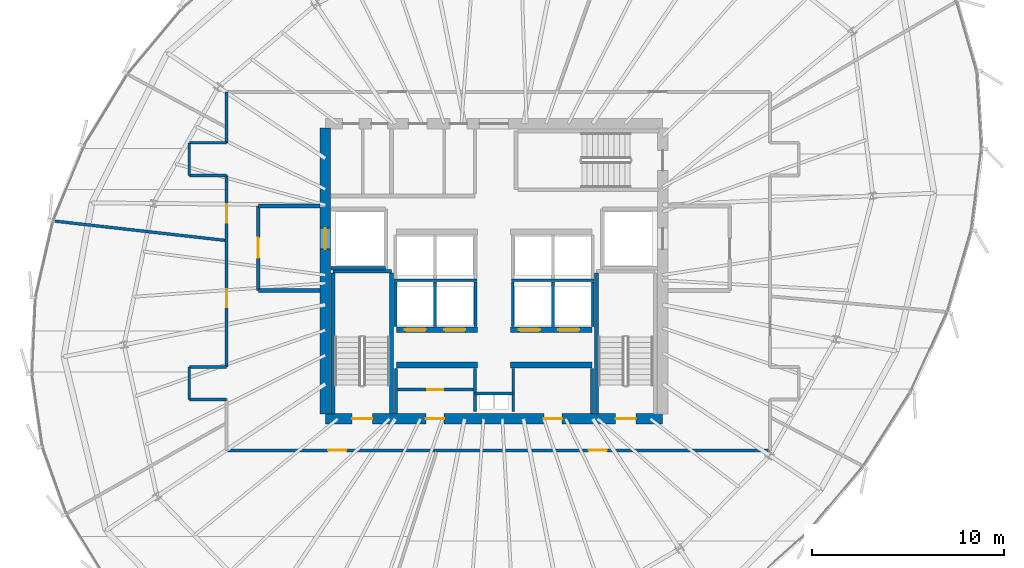
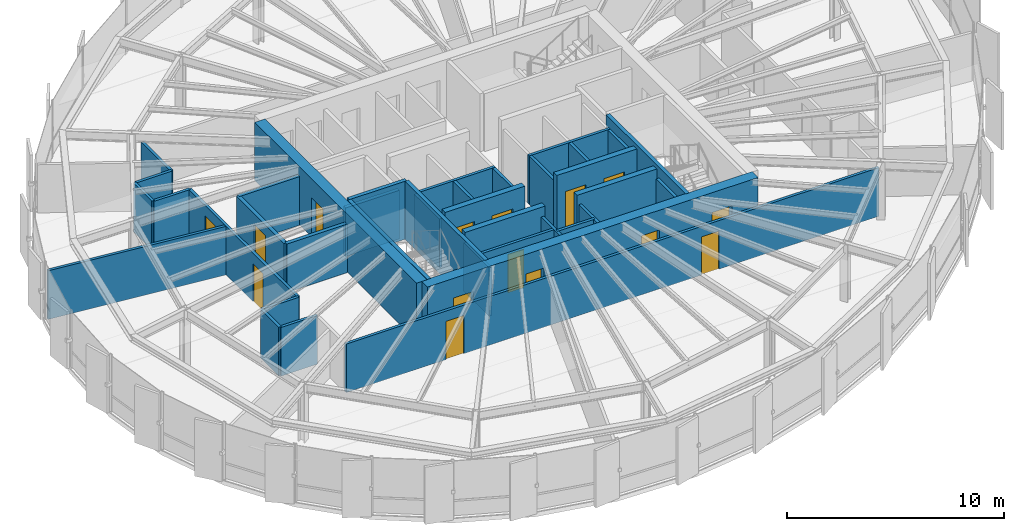
# One storey, part 29 of 34: 38 walls, 15 doors, 15 openings.
"""IFC4 building model written with IfcOpenShell, lengths in metres."""

from ifc_helpers import new_model, si_unit, direction, frame, frame_2d, origin, place, context, subcontext, project, spatial, rectangle, extrude, source, transform, mapped, material, layer, layer_set, type_object, element, fill, save


model = new_model("IFC4")

# Units and contexts
model_context = context("Model", 3, precision=1e-05, world=origin(), true_north=direction((0.0, 1.0)))
body_context = subcontext(model_context, "Body", "Model", "MODEL_VIEW")
ifc_project = project(units=[si_unit("LENGTHUNIT", "METRE"), si_unit("AREAUNIT", "SQUARE_METRE"), si_unit("VOLUMEUNIT", "CUBIC_METRE"), si_unit("PLANEANGLEUNIT", "RADIAN"), si_unit("MASSUNIT", "GRAM", prefix="KILO"), si_unit("THERMODYNAMICTEMPERATUREUNIT", "KELVIN")], contexts=[model_context])

# Site, building, storey
site_placement = place(None, origin())
site = spatial("IfcSite", under=ifc_project, at=site_placement, CompositionType="ELEMENT")
building_placement = place(site_placement, origin())
building = spatial("IfcBuilding", under=site, at=building_placement, Name="Kethvar Cultural Tower", CompositionType="ELEMENT")
storey_placement = place(building_placement, frame((0.0, 0.0, 186.89990234375)))
storey = spatial("IfcBuildingStorey", under=building, at=storey_placement, Name="L48", CompositionType="ELEMENT", Elevation=186.89990234375)

# Wall, openings, doors
ifc_material_1 = material(Name="Concrete C60/75", Category="concrete")
ifc_layer_1 = layer(ifc_material_1, 0.550048828125, Name="Concrete C60/75", Category="concrete")
ifc_layer_set_1 = layer_set([ifc_layer_1], Name="Concrete C60/75 (550 mm)")
wall_type_1 = type_object("IfcWallType", Name="WL-CORE-550", PredefinedType="SHEAR", material=ifc_layer_set_1)
wall_1_placement = place(storey_placement, frame((38.0, 20.10009765625, 0.0), z_axis=(0.0, 0.0, 1.0), x_axis=(1.0, 0.0, 0.0)))
wall_1 = element("IfcWall", 1, at=wall_1_placement, inside=storey, type_object=wall_type_1, Name="L48 Core Shear Wall S", PredefinedType="SHEAR", context=body_context, shape_type="SweptSolid", body=[
    extrude(rectangle(XDim=17.60009765625, YDim=0.550048828125, at=frame_2d((8.800048828125, 0.0))), origin(), (0.0, 0.0, 1.0), 3.260009765625),
])
opening_1_placement = place(wall_1_placement, frame((1.39990234375, 0.0, 0.0)))
opening_1 = element("IfcOpeningElement", 2, at=opening_1_placement, cuts=wall_1, Name="Opening D-L48-S1", PredefinedType="OPENING", context=body_context, shape_type="SweptSolid", body=[
    extrude(rectangle(XDim=1.050048828125, YDim=2.14990234375, at=frame_2d((0.52490234375, 1.074951171875))), frame((0.0, 0.284912109375, 0.0), z_axis=(0.0, -1.0, 0.0), x_axis=(1.0, 0.0, 0.0)), (0.0, 0.0, 1.0), 0.570068359375),
])
opening_2_placement = place(wall_1_placement, frame((15.14990234375, 0.0, 0.0)))
opening_2 = element("IfcOpeningElement", 3, at=opening_2_placement, cuts=wall_1, Name="Opening D-L48-ST2", PredefinedType="OPENING", context=body_context, shape_type="SweptSolid", body=[
    extrude(rectangle(XDim=1.050048828125, YDim=2.14990234375, at=frame_2d((0.52490234375, 1.074951171875))), frame((0.0, 0.284912109375, 0.0), z_axis=(0.0, -1.0, 0.0), x_axis=(1.0, 0.0, 0.0)), (0.0, 0.0, 1.0), 0.570068359375),
])
opening_3_placement = place(wall_1_placement, frame((5.25, 0.0, 0.0)))
opening_3 = element("IfcOpeningElement", 4, at=opening_3_placement, cuts=wall_1, Name="Opening D-L48-V1", PredefinedType="OPENING", context=body_context, shape_type="SweptSolid", body=[
    extrude(rectangle(XDim=0.949951171875, YDim=2.14990234375, at=frame_2d((0.47509765625, 1.074951171875))), frame((0.0, 0.284912109375, 0.0), z_axis=(0.0, -1.0, 0.0), x_axis=(1.0, 0.0, 0.0)), (0.0, 0.0, 1.0), 0.570068359375),
])
opening_4_placement = place(wall_1_placement, frame((11.39990234375, 0.0, 0.0)))
opening_4 = element("IfcOpeningElement", 5, at=opening_4_placement, cuts=wall_1, Name="Opening D-L48-V2", PredefinedType="OPENING", context=body_context, shape_type="SweptSolid", body=[
    extrude(rectangle(XDim=0.949951171875, YDim=2.14990234375, at=frame_2d((0.47509765625, 1.074951171875))), frame((0.0, 0.284912109375, 0.0), z_axis=(0.0, -1.0, 0.0), x_axis=(1.0, 0.0, 0.0)), (0.0, 0.0, 1.0), 0.570068359375),
])
ifc_material_2 = material(Name="Steel S355J2", Category="steel")
door_type_1 = type_object("IfcDoorType", Name="DR-FD60-1050", OperationType="NOTDEFINED", PredefinedType="DOOR", material=ifc_material_2)
shared_shape_1 = source(origin(), body_context, "Body", "SweptSolid", [
    extrude(rectangle(XDim=1.050048828125, YDim=2.14990234375, at=frame_2d((0.52490234375, 1.074951171875))), frame((0.0, 0.02490234375, 0.0), z_axis=(0.0, -1.0, 0.0), x_axis=(1.0, 0.0, 0.0)), (0.0, 0.0, 1.0), 0.050048828125),
])
door_1_placement = place(opening_1_placement, origin())
door_1 = element("IfcDoor", 6, at=door_1_placement, inside=storey, type_object=door_type_1, Name="L48 Exit Stair 1 Door", OperationType="SINGLE_SWING_LEFT", OverallHeight=2.14990234375, OverallWidth=1.050048828125, PredefinedType="DOOR", context=body_context, shape_type="MappedRepresentation", body=[
    mapped(shared_shape_1, transform((0.0, 0.0, 0.0), scale=1.0)),
])
fill(opening_1, door_1)
door_2_placement = place(opening_2_placement, origin())
door_2 = element("IfcDoor", 7, at=door_2_placement, inside=storey, type_object=door_type_1, Name="L48 Exit Stair 2 Door", OperationType="SINGLE_SWING_RIGHT", OverallHeight=2.14990234375, OverallWidth=1.050048828125, PredefinedType="DOOR", context=body_context, shape_type="MappedRepresentation", body=[
    mapped(shared_shape_1, transform((0.0, 0.0, 0.0), scale=1.0)),
])
fill(opening_2, door_2)
ifc_material_3 = material(Name="Architectural Oak Timber", Category="wood")
door_type_2 = type_object("IfcDoorType", Name="DR-FD30-950", OperationType="NOTDEFINED", PredefinedType="DOOR", material=ifc_material_3)
shared_shape_2 = source(origin(), body_context, "Body", "SweptSolid", [
    extrude(rectangle(XDim=0.949951171875, YDim=2.14990234375, at=frame_2d((0.47509765625, 1.074951171875))), frame((0.0, 0.02490234375, 0.0), z_axis=(0.0, -1.0, 0.0), x_axis=(1.0, 0.0, 0.0)), (0.0, 0.0, 1.0), 0.050048828125),
])
door_3_placement = place(opening_3_placement, origin())
door_3 = element("IfcDoor", 8, at=door_3_placement, inside=storey, type_object=door_type_2, Name="L48 Reclaimed West South Door", OperationType="SINGLE_SWING_LEFT", OverallHeight=2.14990234375, OverallWidth=0.949951171875, PredefinedType="DOOR", context=body_context, shape_type="MappedRepresentation", body=[
    mapped(shared_shape_2, transform((0.0, 0.0, 0.0), scale=1.0)),
])
fill(opening_3, door_3)
door_4_placement = place(opening_4_placement, origin())
door_4 = element("IfcDoor", 9, at=door_4_placement, inside=storey, type_object=door_type_2, Name="L48 Reclaimed East Server Door", OperationType="SINGLE_SWING_RIGHT", OverallHeight=2.14990234375, OverallWidth=0.949951171875, PredefinedType="DOOR", context=body_context, shape_type="MappedRepresentation", body=[
    mapped(shared_shape_2, transform((0.0, 0.0, 0.0), scale=1.0)),
])
fill(opening_4, door_4)

# Wall, opening, door
wall_2_placement = place(storey_placement, frame((38.0, 35.260009765625, 0.0), z_axis=(0.0, 0.0, 1.0), x_axis=(0.0, -1.0, 0.0)))
wall_2 = element("IfcWall", 10, at=wall_2_placement, inside=storey, type_object=wall_type_1, Name="L48 Core Shear Wall W", PredefinedType="SHEAR", context=body_context, shape_type="SweptSolid", body=[
    extrude(rectangle(XDim=14.919921875, YDim=0.550048828125, at=frame_2d((7.4599609375, 0.0))), origin(), (0.0, 0.0, 1.0), 3.260009765625),
])
opening_5_placement = place(wall_2_placement, frame((5.2099609375, 0.0, 0.0)))
opening_5 = element("IfcOpeningElement", 11, at=opening_5_placement, cuts=wall_2, Name="Opening LD-1", PredefinedType="OPENING", context=body_context, shape_type="SweptSolid", body=[
    extrude(rectangle(XDim=1.10009765625, YDim=2.199951171875, at=frame_2d((0.550048828125, 1.10009765625))), frame((0.0, 0.284912109375, 0.0), z_axis=(0.0, -1.0, 0.0), x_axis=(1.0, 0.0, 0.0)), (0.0, 0.0, 1.0), 0.570068359375),
])
door_type_3 = type_object("IfcDoorType", Name="DR-LIFT-SLIDE-1100", OperationType="NOTDEFINED", PredefinedType="DOOR", material=ifc_material_2)
shared_shape_3 = source(origin(), body_context, "Body", "SweptSolid", [
    extrude(rectangle(XDim=1.10009765625, YDim=2.199951171875, at=frame_2d((0.550048828125, 1.10009765625))), frame((0.0, 0.02490234375, 0.0), z_axis=(0.0, -1.0, 0.0), x_axis=(1.0, 0.0, 0.0)), (0.0, 0.0, 1.0), 0.050048828125),
])
door_5_placement = place(opening_5_placement, origin())
door_5 = element("IfcDoor", 12, at=door_5_placement, inside=storey, type_object=door_type_3, Name="L48 Firefighting Lift Landing Door FFL-01", OperationType="SLIDING_TO_LEFT", OverallHeight=2.199951171875, OverallWidth=1.10009765625, PredefinedType="DOOR", context=body_context, shape_type="MappedRepresentation", body=[
    mapped(shared_shape_3, transform((0.0, 0.0, 0.0), scale=1.0)),
])
fill(opening_5, door_5)

# Walls
ifc_material_4 = material(Name="Gypsum Fireboard Partition")
ifc_layer_2 = layer(ifc_material_4, 0.14990234375, Name="Gypsum Fireboard Partition")
ifc_layer_set_2 = layer_set([ifc_layer_2], Name="Gypsum Fireboard Partition (150 mm)")
wall_type_2 = type_object("IfcWallType", Name="WL-FIRE-150", PredefinedType="PARTITIONING", material=ifc_layer_set_2)
wall_3_placement = place(storey_placement, frame((45.800048828125, 21.419921875, 0.0), z_axis=(0.0, 0.0, 1.0), x_axis=(1.0, 0.0, 0.0)))
element("IfcWall", 13, at=wall_3_placement, inside=storey, type_object=wall_type_2, Name="L48 Core Riser Wall", PredefinedType="PARTITIONING", context=body_context, shape_type="SweptSolid", body=[
    extrude(rectangle(XDim=2.0, YDim=0.14990234375, at=frame_2d((1.0, 0.0))), origin(), (0.0, 0.0, 1.0), 2.735107421875),
])
for number, where, z_axis, x_axis, name in (
    (14, (45.800048828125, 20.47998046875, 0.0), (0.0, 0.0, 1.0), (0.0, 1.0, 0.0), "L48 Core Riser West Wall"),
    (15, (47.800048828125, 20.47998046875, 0.0), (0.0, 0.0, 1.0), (0.0, 1.0, 0.0), "L48 Core Riser East Wall"),
):
    element("IfcWall", number, at=place(storey_placement, frame(where, z_axis=z_axis, x_axis=x_axis)), inside=storey, type_object=wall_type_2, Name=name, PredefinedType="PARTITIONING", context=body_context, shape_type="SweptSolid", body=[
        extrude(rectangle(XDim=2.239990234375, YDim=0.14990234375, at=frame_2d((1.1201171875, 0.0))), origin(), (0.0, 0.0, 1.0), 2.735107421875),
    ])
for number, where, z_axis, x_axis, name in (
    (16, (41.679931640625, 20.385009765625, 0.0), (0.0, 0.0, 1.0), (0.0, 1.0, 0.0), "L48 Reclaimed West Outer Wall"),
    (17, (51.919921875, 20.385009765625, 0.0), (0.0, 0.0, 1.0), (0.0, 1.0, 0.0), "L48 Reclaimed East Outer Wall"),
):
    element("IfcWall", number, at=place(storey_placement, frame(where, z_axis=z_axis, x_axis=x_axis)), inside=storey, type_object=wall_type_2, Name=name, PredefinedType="PARTITIONING", context=body_context, shape_type="SweptSolid", body=[
        extrude(rectangle(XDim=2.344970703125, YDim=0.14990234375, at=frame_2d((1.17236328125, 0.0))), origin(), (0.0, 0.0, 1.0), 2.735107421875),
    ])

# Wall, opening, door
wall_4_placement = place(storey_placement, frame((41.760009765625, 21.6201171875, 0.0), z_axis=(0.0, 0.0, 1.0), x_axis=(1.0, 0.0, 0.0)))
wall_4 = element("IfcWall", 18, at=wall_4_placement, inside=storey, type_object=wall_type_2, Name="L48 Vault Gallery Wall W", PredefinedType="PARTITIONING", context=body_context, shape_type="SweptSolid", body=[
    extrude(rectangle(XDim=3.9599609375, YDim=0.14990234375, at=frame_2d((1.97998046875, 0.0))), origin(), (0.0, 0.0, 1.0), 2.735107421875),
])
opening_6_placement = place(wall_4_placement, frame((1.550048828125, 0.0, 0.0)))
opening_6 = element("IfcOpeningElement", 19, at=opening_6_placement, cuts=wall_4, Name="Opening D-L48-V3", PredefinedType="OPENING", context=body_context, shape_type="SweptSolid", body=[
    extrude(rectangle(XDim=0.85009765625, YDim=2.14990234375, at=frame_2d((0.425048828125, 1.074951171875))), frame((0.0, 0.0849609375, 0.0), z_axis=(0.0, -1.0, 0.0), x_axis=(1.0, 0.0, 0.0)), (0.0, 0.0, 1.0), 0.169921875),
])
door_type_4 = type_object("IfcDoorType", Name="DR-FD30-850", OperationType="NOTDEFINED", PredefinedType="DOOR", material=ifc_material_2)
shared_shape_4 = source(origin(), body_context, "Body", "SweptSolid", [
    extrude(rectangle(XDim=0.85009765625, YDim=2.14990234375, at=frame_2d((0.425048828125, 1.074951171875))), frame((0.0, 0.02490234375, 0.0), z_axis=(0.0, -1.0, 0.0), x_axis=(1.0, 0.0, 0.0)), (0.0, 0.0, 1.0), 0.050048828125),
])
door_6_placement = place(opening_6_placement, origin())
door_6 = element("IfcDoor", 20, at=door_6_placement, inside=storey, type_object=door_type_4, Name="L48 Inner Vault Gallery Door", OperationType="SINGLE_SWING_LEFT", OverallHeight=2.14990234375, OverallWidth=0.85009765625, PredefinedType="DOOR", context=body_context, shape_type="MappedRepresentation", body=[
    mapped(shared_shape_4, transform((0.0, 0.0, 0.0), scale=1.0)),
])
fill(opening_6, door_6)

# Walls
wall_5_placement = place(storey_placement, frame((41.580078125, 27.324951171875, 0.0), z_axis=(0.0, 0.0, 1.0), x_axis=(1.0, 0.0, 0.0)))
element("IfcWall", 21, at=wall_5_placement, inside=storey, type_object=wall_type_2, Name="L48 Mid-High Lift Shaft Back Wall W", PredefinedType="PARTITIONING", context=body_context, shape_type="SweptSolid", body=[
    extrude(rectangle(XDim=4.31982421875, YDim=0.14990234375, at=frame_2d((2.159912109375, 0.0))), origin(), (0.0, 0.0, 1.0), 2.735107421875),
])
wall_6_placement = place(storey_placement, frame((47.699951171875, 27.324951171875, 0.0), z_axis=(0.0, 0.0, 1.0), x_axis=(1.0, 0.0, 0.0)))
element("IfcWall", 22, at=wall_6_placement, inside=storey, type_object=wall_type_2, Name="L48 Mid-High Lift Shaft Back Wall E", PredefinedType="PARTITIONING", context=body_context, shape_type="SweptSolid", body=[
    extrude(rectangle(XDim=4.320068359375, YDim=0.14990234375, at=frame_2d((2.16015625, 0.0))), origin(), (0.0, 0.0, 1.0), 2.735107421875),
])
for number, where, z_axis, x_axis, name in (
    (23, (41.64990234375, 24.919921875, 0.0), (0.0, 0.0, 1.0), (0.0, 1.0, 0.0), "L48 Mid-Rise Lift Shaft Outer Wall W"),
    (24, (43.72509765625, 24.919921875, 0.0), (0.0, 0.0, 1.0), (0.0, 1.0, 0.0), "L48 Mid-Rise Lift Shaft Divider W"),
    (25, (45.824951171875, 24.919921875, 0.0), (0.0, 0.0, 1.0), (0.0, 1.0, 0.0), "L48 Mid-Rise Lift Shaft Concourse Wall W"),
    (26, (47.77490234375, 24.919921875, 0.0), (0.0, 0.0, 1.0), (0.0, 1.0, 0.0), "L48 Mid-Rise Lift Shaft Concourse Wall E"),
    (27, (49.875, 24.919921875, 0.0), (0.0, 0.0, 1.0), (0.0, 1.0, 0.0), "L48 Mid-Rise Lift Shaft Divider E"),
    (28, (51.949951171875, 24.919921875, 0.0), (0.0, 0.0, 1.0), (0.0, 1.0, 0.0), "L48 Mid-Rise Lift Shaft Outer Wall E"),
):
    element("IfcWall", number, at=place(storey_placement, frame(where, z_axis=z_axis, x_axis=x_axis)), inside=storey, type_object=wall_type_2, Name=name, PredefinedType="PARTITIONING", context=body_context, shape_type="SweptSolid", body=[
        extrude(rectangle(XDim=2.320068359375, YDim=0.14990234375, at=frame_2d((1.16015625, 0.0))), origin(), (0.0, 0.0, 1.0), 2.735107421875),
    ])

# Wall, openings, doors
wall_7_placement = place(storey_placement, frame((32.85009765625, 18.449951171875, 0.0), z_axis=(0.0, 0.0, 1.0), x_axis=(1.0, 0.0, 0.0)))
wall_7 = element("IfcWall", 29, at=wall_7_placement, inside=storey, type_object=wall_type_2, Name="L48 Corridor Rated Wall S", PredefinedType="PARTITIONING", context=body_context, shape_type="SweptSolid", body=[
    extrude(rectangle(XDim=28.349853515625, YDim=0.14990234375, at=frame_2d((14.1748046875, 0.0))), origin(), (0.0, 0.0, 1.0), 2.735107421875),
])
opening_7_placement = place(wall_7_placement, frame((5.300048828125, 0.0, 0.0)))
opening_7 = element("IfcOpeningElement", 30, at=opening_7_placement, cuts=wall_7, Name="Opening D-L48-01", PredefinedType="OPENING", context=body_context, shape_type="SweptSolid", body=[
    extrude(rectangle(XDim=0.949951171875, YDim=2.14990234375, at=frame_2d((0.47509765625, 1.074951171875))), frame((0.0, 0.0849609375, 0.0), z_axis=(0.0, -1.0, 0.0), x_axis=(1.0, 0.0, 0.0)), (0.0, 0.0, 1.0), 0.169921875),
])
opening_8_placement = place(wall_7_placement, frame((18.88818359375, 0.0, 0.0)))
opening_8 = element("IfcOpeningElement", 31, at=opening_8_placement, cuts=wall_7, Name="Opening D-L48-02", PredefinedType="OPENING", context=body_context, shape_type="SweptSolid", body=[
    extrude(rectangle(XDim=0.949951171875, YDim=2.14990234375, at=frame_2d((0.47509765625, 1.074951171875))), frame((0.0, 0.0849609375, 0.0), z_axis=(0.0, -1.0, 0.0), x_axis=(1.0, 0.0, 0.0)), (0.0, 0.0, 1.0), 0.169921875),
])
door_7_placement = place(opening_7_placement, origin())
door_7 = element("IfcDoor", 32, at=door_7_placement, inside=storey, type_object=door_type_2, Name="L48 Contemporary Art Salon 01 Door", OperationType="SINGLE_SWING_LEFT", OverallHeight=2.14990234375, OverallWidth=0.949951171875, PredefinedType="DOOR", context=body_context, shape_type="MappedRepresentation", body=[
    mapped(shared_shape_2, transform((0.0, 0.0, 0.0), scale=1.0)),
])
fill(opening_7, door_7)
door_8_placement = place(opening_8_placement, origin())
door_8 = element("IfcDoor", 33, at=door_8_placement, inside=storey, type_object=door_type_2, Name="L48 Main Public Reading Library 02 Door", OperationType="SINGLE_SWING_RIGHT", OverallHeight=2.14990234375, OverallWidth=0.949951171875, PredefinedType="DOOR", context=body_context, shape_type="MappedRepresentation", body=[
    mapped(shared_shape_2, transform((0.0, 0.0, 0.0), scale=1.0)),
])
fill(opening_8, door_8)

# Walls
wall_8_placement = place(storey_placement, frame((32.85009765625, 37.14990234375, 0.0), z_axis=(0.0, 0.0, 1.0), x_axis=(0.0, -1.0, 0.0)))
element("IfcWall", 34, at=wall_8_placement, inside=storey, type_object=wall_type_2, Name="L48 Corridor Rated Wall W2", PredefinedType="PARTITIONING", context=body_context, shape_type="SweptSolid", body=[
    extrude(rectangle(XDim=2.64990234375, YDim=0.14990234375, at=frame_2d((1.324951171875, 0.0))), origin(), (0.0, 0.0, 1.0), 2.735107421875),
])
wall_9_placement = place(storey_placement, frame((32.85009765625, 34.5, 0.0), z_axis=(0.0, 0.0, 1.0), x_axis=(-1.0, 0.0, 0.0)))
element("IfcWall", 35, at=wall_9_placement, inside=storey, type_object=wall_type_2, Name="L48 Corridor Rated Wall WNT", PredefinedType="PARTITIONING", context=body_context, shape_type="SweptSolid", body=[
    extrude(rectangle(XDim=1.9501953125, YDim=0.14990234375, at=frame_2d((0.97509765625, 0.0))), origin(), (0.0, 0.0, 1.0), 2.735107421875),
])
wall_10_placement = place(storey_placement, frame((30.89990234375, 34.5, 0.0), z_axis=(0.0, 0.0, 1.0), x_axis=(0.0, -1.0, 0.0)))
element("IfcWall", 36, at=wall_10_placement, inside=storey, type_object=wall_type_2, Name="L48 Corridor Rated Wall WN", PredefinedType="PARTITIONING", context=body_context, shape_type="SweptSolid", body=[
    extrude(rectangle(XDim=1.699951171875, YDim=0.14990234375, at=frame_2d((0.85009765625, 0.0))), origin(), (0.0, 0.0, 1.0), 2.735107421875),
])
wall_11_placement = place(storey_placement, frame((30.89990234375, 32.800048828125, 0.0), z_axis=(0.0, 0.0, 1.0), x_axis=(1.0, 0.0, 0.0)))
element("IfcWall", 37, at=wall_11_placement, inside=storey, type_object=wall_type_2, Name="L48 Corridor Rated Wall WNB", PredefinedType="PARTITIONING", context=body_context, shape_type="SweptSolid", body=[
    extrude(rectangle(XDim=1.9501953125, YDim=0.14990234375, at=frame_2d((0.97509765625, 0.0))), origin(), (0.0, 0.0, 1.0), 2.735107421875),
])

# Wall, openings, doors
wall_12_placement = place(storey_placement, frame((32.85009765625, 32.800048828125, 0.0), z_axis=(0.0, 0.0, 1.0), x_axis=(0.0, -1.0, 0.0)))
wall_12 = element("IfcWall", 38, at=wall_12_placement, inside=storey, type_object=wall_type_2, Name="L48 Corridor Rated Wall WM", PredefinedType="PARTITIONING", context=body_context, shape_type="SweptSolid", body=[
    extrude(rectangle(XDim=10.0, YDim=0.14990234375, at=frame_2d((5.0, 0.0))), origin(), (0.0, 0.0, 1.0), 2.735107421875),
])
opening_9_placement = place(wall_12_placement, frame((1.51611328125, 0.0, 0.0)))
opening_9 = element("IfcOpeningElement", 39, at=opening_9_placement, cuts=wall_12, Name="Opening D-L48-07", PredefinedType="OPENING", context=body_context, shape_type="SweptSolid", body=[
    extrude(rectangle(XDim=0.949951171875, YDim=2.14990234375, at=frame_2d((0.47509765625, 1.074951171875))), frame((0.0, 0.0849609375, 0.0), z_axis=(0.0, -1.0, 0.0), x_axis=(1.0, 0.0, 0.0)), (0.0, 0.0, 1.0), 0.169921875),
])
opening_10_placement = place(wall_12_placement, frame((5.935302734375, 0.0, 0.0)))
opening_10 = element("IfcOpeningElement", 40, at=opening_10_placement, cuts=wall_12, Name="Opening D-L48-08", PredefinedType="OPENING", context=body_context, shape_type="SweptSolid", body=[
    extrude(rectangle(XDim=0.949951171875, YDim=2.14990234375, at=frame_2d((0.47509765625, 1.074951171875))), frame((0.0, 0.0849609375, 0.0), z_axis=(0.0, -1.0, 0.0), x_axis=(1.0, 0.0, 0.0)), (0.0, 0.0, 1.0), 0.169921875),
])
door_9_placement = place(opening_9_placement, origin())
door_9 = element("IfcDoor", 41, at=door_9_placement, inside=storey, type_object=door_type_2, Name="L48 Institute Tea Pantry 07 Door", OperationType="SINGLE_SWING_LEFT", OverallHeight=2.14990234375, OverallWidth=0.949951171875, PredefinedType="DOOR", context=body_context, shape_type="MappedRepresentation", body=[
    mapped(shared_shape_2, transform((0.0, 0.0, 0.0), scale=1.0)),
])
fill(opening_9, door_9)
door_10_placement = place(opening_10_placement, origin())
door_10 = element("IfcDoor", 42, at=door_10_placement, inside=storey, type_object=door_type_2, Name="L48 Manuscript Archive Store 08 Door", OperationType="SINGLE_SWING_RIGHT", OverallHeight=2.14990234375, OverallWidth=0.949951171875, PredefinedType="DOOR", context=body_context, shape_type="MappedRepresentation", body=[
    mapped(shared_shape_2, transform((0.0, 0.0, 0.0), scale=1.0)),
])
fill(opening_10, door_10)

# Walls
wall_13_placement = place(storey_placement, frame((32.85009765625, 22.800048828125, 0.0), z_axis=(0.0, 0.0, 1.0), x_axis=(-1.0, 0.0, 0.0)))
element("IfcWall", 43, at=wall_13_placement, inside=storey, type_object=wall_type_2, Name="L48 Corridor Rated Wall WST", PredefinedType="PARTITIONING", context=body_context, shape_type="SweptSolid", body=[
    extrude(rectangle(XDim=1.9501953125, YDim=0.14990234375, at=frame_2d((0.97509765625, 0.0))), origin(), (0.0, 0.0, 1.0), 2.735107421875),
])
wall_14_placement = place(storey_placement, frame((30.89990234375, 22.800048828125, 0.0), z_axis=(0.0, 0.0, 1.0), x_axis=(0.0, -1.0, 0.0)))
element("IfcWall", 44, at=wall_14_placement, inside=storey, type_object=wall_type_2, Name="L48 Corridor Rated Wall WS", PredefinedType="PARTITIONING", context=body_context, shape_type="SweptSolid", body=[
    extrude(rectangle(XDim=1.699951171875, YDim=0.14990234375, at=frame_2d((0.85009765625, 0.0))), origin(), (0.0, 0.0, 1.0), 2.735107421875),
])
wall_15_placement = place(storey_placement, frame((30.89990234375, 21.10009765625, 0.0), z_axis=(0.0, 0.0, 1.0), x_axis=(1.0, 0.0, 0.0)))
element("IfcWall", 45, at=wall_15_placement, inside=storey, type_object=wall_type_2, Name="L48 Corridor Rated Wall WSB", PredefinedType="PARTITIONING", context=body_context, shape_type="SweptSolid", body=[
    extrude(rectangle(XDim=1.9501953125, YDim=0.14990234375, at=frame_2d((0.97509765625, 0.0))), origin(), (0.0, 0.0, 1.0), 2.735107421875),
])
ifc_material_5 = material(Name="Concrete C40/50", Category="concrete")
ifc_layer_3 = layer(ifc_material_5, 0.199951171875, Name="Concrete C40/50", Category="concrete")
ifc_layer_set_3 = layer_set([ifc_layer_3], Name="Concrete C40/50 (200 mm)")
wall_type_3 = type_object("IfcWallType", Name="WL-FIRE-200", PredefinedType="PARTITIONING", material=ifc_layer_set_3)
wall_16_placement = place(storey_placement, frame((38.284912109375, 27.949951171875, 0.0), z_axis=(0.0, 0.0, 1.0), x_axis=(1.0, 0.0, 0.0)))
element("IfcWall", 46, at=wall_16_placement, inside=storey, type_object=wall_type_3, Name="L48 FFL-01 Shaft South Wall", PredefinedType="PARTITIONING", context=body_context, shape_type="SweptSolid", body=[
    extrude(rectangle(XDim=2.864990234375, YDim=0.199951171875, at=frame_2d((1.4326171875, 0.0))), origin(), (0.0, 0.0, 1.0), 2.735107421875),
])

# Wall, opening, door
wall_17_placement = place(storey_placement, frame((34.5, 31.199951171875, 0.0), z_axis=(0.0, 0.0, 1.0), x_axis=(0.0, -1.0, 0.0)))
wall_17 = element("IfcWall", 47, at=wall_17_placement, inside=storey, type_object=wall_type_3, Name="L48 Firefighting Lobby 1 Wall", PredefinedType="PARTITIONING", context=body_context, shape_type="SweptSolid", body=[
    extrude(rectangle(XDim=4.39990234375, YDim=0.199951171875, at=frame_2d((2.199951171875, 0.0))), origin(), (0.0, 0.0, 1.0), 2.735107421875),
])
opening_11_placement = place(wall_17_placement, frame((1.64990234375, 0.0, 0.0)))
opening_11 = element("IfcOpeningElement", 48, at=opening_11_placement, cuts=wall_17, Name="Opening D-L48-F1", PredefinedType="OPENING", context=body_context, shape_type="SweptSolid", body=[
    extrude(rectangle(XDim=1.050048828125, YDim=2.14990234375, at=frame_2d((0.52490234375, 1.074951171875))), frame((0.0, 0.10986328125, 0.0), z_axis=(0.0, -1.0, 0.0), x_axis=(1.0, 0.0, 0.0)), (0.0, 0.0, 1.0), 0.219970703125),
])
door_11_placement = place(opening_11_placement, origin())
door_11 = element("IfcDoor", 49, at=door_11_placement, inside=storey, type_object=door_type_1, Name="L48 Firefighting Lobby 1 Fire Door", OperationType="SINGLE_SWING_LEFT", OverallHeight=2.14990234375, OverallWidth=1.050048828125, PredefinedType="DOOR", context=body_context, shape_type="MappedRepresentation", body=[
    mapped(shared_shape_1, transform((0.0, 0.0, 0.0), scale=1.0)),
])
fill(opening_11, door_11)

# Walls
for number, where, z_axis, x_axis, name in (
    (50, (34.5, 26.800048828125, 0.0), (0.0, 0.0, 1.0), (1.0, 0.0, 0.0), "L48 FF Lobby 1 South Wall"),
    (51, (34.5, 31.199951171875, 0.0), (0.0, 0.0, 1.0), (1.0, 0.0, 0.0), "L48 FF Lobby 1 North Wall"),
):
    element("IfcWall", number, at=place(storey_placement, frame(where, z_axis=z_axis, x_axis=x_axis)), inside=storey, type_object=wall_type_3, Name=name, PredefinedType="PARTITIONING", context=body_context, shape_type="SweptSolid", body=[
        extrude(rectangle(XDim=3.215087890625, YDim=0.199951171875, at=frame_2d((1.607421875, 0.0))), origin(), (0.0, 0.0, 1.0), 2.735107421875),
    ])
ifc_material_6 = material(Name="Gypsum Acoustic Partition")
ifc_layer_4 = layer(ifc_material_6, 0.14990234375, Name="Gypsum Acoustic Partition")
ifc_layer_set_4 = layer_set([ifc_layer_4], Name="Gypsum Acoustic Partition (150 mm)")
wall_type_4 = type_object("IfcWallType", Name="WL-PART-150", PredefinedType="PARTITIONING", material=ifc_layer_set_4)
wall_18_placement = place(storey_placement, frame((32.7705078125, 29.406494140625, 0.0), z_axis=(0.0, 0.0, 1.0), x_axis=(-0.993659253766, 0.112433479914, 0.0)))
element("IfcWall", 52, at=wall_18_placement, inside=storey, type_object=wall_type_4, Name="L48 Radial Partition Wall 08", PredefinedType="PARTITIONING", context=body_context, shape_type="SweptSolid", body=[
    extrude(rectangle(XDim=8.9267578125, YDim=0.14990234375, at=frame_2d((4.46337890625, 0.0))), origin(), (0.0, 0.0, 1.0), 2.735107421875),
])
ifc_material_7 = material(Name="Concrete C50/60", Category="concrete")
ifc_layer_5 = layer(ifc_material_7, 0.300048828125, Name="Concrete C50/60", Category="concrete")
ifc_layer_set_5 = layer_set([ifc_layer_5], Name="Concrete C50/60 (300 mm)")
wall_type_5 = type_object("IfcWallType", Name="WL-SHAFT-300", PredefinedType="SHEAR", material=ifc_layer_set_5)
for number, where, z_axis, x_axis, name in (
    (53, (41.699951171875, 22.89990234375, 0.0), (0.0, 0.0, 1.0), (1.0, 0.0, 0.0), "L48 Core Lift Spine Wall MID1W"),
    (54, (47.64990234375, 22.89990234375, 0.0), (0.0, 0.0, 1.0), (1.0, 0.0, 0.0), "L48 Core Lift Spine Wall MID1E"),
):
    element("IfcWall", number, at=place(storey_placement, frame(where, z_axis=z_axis, x_axis=x_axis)), inside=storey, type_object=wall_type_5, Name=name, PredefinedType="SHEAR", context=body_context, shape_type="SweptSolid", body=[
        extrude(rectangle(XDim=4.25, YDim=0.300048828125, at=frame_2d((2.125, 0.0))), origin(), (0.0, 0.0, 1.0), 3.260009765625),
    ])

# Wall, openings, doors
wall_19_placement = place(storey_placement, frame((41.699951171875, 24.75, 0.0), z_axis=(0.0, 0.0, 1.0), x_axis=(1.0, 0.0, 0.0)))
wall_19 = element("IfcWall", 55, at=wall_19_placement, inside=storey, type_object=wall_type_5, Name="L48 Core Lift Spine Wall MID2W", PredefinedType="SHEAR", context=body_context, shape_type="SweptSolid", body=[
    extrude(rectangle(XDim=4.25, YDim=0.300048828125, at=frame_2d((2.125, 0.0))), origin(), (0.0, 0.0, 1.0), 3.260009765625),
])
opening_12_placement = place(wall_19_placement, frame((0.449951171875, 0.0, 0.0)))
opening_12 = element("IfcOpeningElement", 56, at=opening_12_placement, cuts=wall_19, Name="Opening LD-M1", PredefinedType="OPENING", context=body_context, shape_type="SweptSolid", body=[
    extrude(rectangle(XDim=1.10009765625, YDim=2.199951171875, at=frame_2d((0.550048828125, 1.10009765625))), frame((0.0, 0.159912109375, 0.0), z_axis=(0.0, -1.0, 0.0), x_axis=(1.0, 0.0, 0.0)), (0.0, 0.0, 1.0), 0.320068359375),
])
opening_13_placement = place(wall_19_placement, frame((2.5, 0.0, 0.0)))
opening_13 = element("IfcOpeningElement", 57, at=opening_13_placement, cuts=wall_19, Name="Opening LD-M2", PredefinedType="OPENING", context=body_context, shape_type="SweptSolid", body=[
    extrude(rectangle(XDim=1.10009765625, YDim=2.199951171875, at=frame_2d((0.550048828125, 1.10009765625))), frame((0.0, 0.159912109375, 0.0), z_axis=(0.0, -1.0, 0.0), x_axis=(1.0, 0.0, 0.0)), (0.0, 0.0, 1.0), 0.320068359375),
])
door_12_placement = place(opening_12_placement, origin())
door_12 = element("IfcDoor", 58, at=door_12_placement, inside=storey, type_object=door_type_3, Name="L48 Mid-Rise Lift Landing Door M1", OperationType="SLIDING_TO_RIGHT", OverallHeight=2.199951171875, OverallWidth=1.10009765625, PredefinedType="DOOR", context=body_context, shape_type="MappedRepresentation", body=[
    mapped(shared_shape_3, transform((0.0, 0.0, 0.0), scale=1.0)),
])
fill(opening_12, door_12)
door_13_placement = place(opening_13_placement, origin())
door_13 = element("IfcDoor", 59, at=door_13_placement, inside=storey, type_object=door_type_3, Name="L48 Mid-Rise Lift Landing Door M2", OperationType="SLIDING_TO_RIGHT", OverallHeight=2.199951171875, OverallWidth=1.10009765625, PredefinedType="DOOR", context=body_context, shape_type="MappedRepresentation", body=[
    mapped(shared_shape_3, transform((0.0, 0.0, 0.0), scale=1.0)),
])
fill(opening_13, door_13)

wall_20_placement = place(storey_placement, frame((47.64990234375, 24.75, 0.0), z_axis=(0.0, 0.0, 1.0), x_axis=(1.0, 0.0, 0.0)))
wall_20 = element("IfcWall", 60, at=wall_20_placement, inside=storey, type_object=wall_type_5, Name="L48 Core Lift Spine Wall MID2E", PredefinedType="SHEAR", context=body_context, shape_type="SweptSolid", body=[
    extrude(rectangle(XDim=4.25, YDim=0.300048828125, at=frame_2d((2.125, 0.0))), origin(), (0.0, 0.0, 1.0), 3.260009765625),
])
opening_14_placement = place(wall_20_placement, frame((0.449951171875, 0.0, 0.0)))
opening_14 = element("IfcOpeningElement", 61, at=opening_14_placement, cuts=wall_20, Name="Opening LD-M3", PredefinedType="OPENING", context=body_context, shape_type="SweptSolid", body=[
    extrude(rectangle(XDim=1.10009765625, YDim=2.199951171875, at=frame_2d((0.550048828125, 1.10009765625))), frame((0.0, 0.159912109375, 0.0), z_axis=(0.0, -1.0, 0.0), x_axis=(1.0, 0.0, 0.0)), (0.0, 0.0, 1.0), 0.320068359375),
])
opening_15_placement = place(wall_20_placement, frame((2.5, 0.0, 0.0)))
opening_15 = element("IfcOpeningElement", 62, at=opening_15_placement, cuts=wall_20, Name="Opening LD-M4", PredefinedType="OPENING", context=body_context, shape_type="SweptSolid", body=[
    extrude(rectangle(XDim=1.10009765625, YDim=2.199951171875, at=frame_2d((0.550048828125, 1.10009765625))), frame((0.0, 0.159912109375, 0.0), z_axis=(0.0, -1.0, 0.0), x_axis=(1.0, 0.0, 0.0)), (0.0, 0.0, 1.0), 0.320068359375),
])
door_14_placement = place(opening_14_placement, origin())
door_14 = element("IfcDoor", 63, at=door_14_placement, inside=storey, type_object=door_type_3, Name="L48 Mid-Rise Lift Landing Door M3", OperationType="SLIDING_TO_RIGHT", OverallHeight=2.199951171875, OverallWidth=1.10009765625, PredefinedType="DOOR", context=body_context, shape_type="MappedRepresentation", body=[
    mapped(shared_shape_3, transform((0.0, 0.0, 0.0), scale=1.0)),
])
fill(opening_14, door_14)
door_15_placement = place(opening_15_placement, origin())
door_15 = element("IfcDoor", 64, at=door_15_placement, inside=storey, type_object=door_type_3, Name="L48 Mid-Rise Lift Landing Door M4", OperationType="SLIDING_TO_RIGHT", OverallHeight=2.199951171875, OverallWidth=1.10009765625, PredefinedType="DOOR", context=body_context, shape_type="MappedRepresentation", body=[
    mapped(shared_shape_3, transform((0.0, 0.0, 0.0), scale=1.0)),
])
fill(opening_15, door_15)

# Walls
ifc_layer_6 = layer(ifc_material_7, 0.199951171875, Name="Concrete C50/60", Category="concrete")
ifc_layer_set_6 = layer_set([ifc_layer_6], Name="Concrete C50/60 (200 mm)")
wall_type_6 = type_object("IfcWallType", Name="WL-STSHAFT-200", PredefinedType="SHEAR", material=ifc_layer_set_6)
wall_21_placement = place(storey_placement, frame((38.389892578125, 27.800048828125, 0.0), z_axis=(0.0, 0.0, 1.0), x_axis=(1.0, 0.0, 0.0)))
element("IfcWall", 65, at=wall_21_placement, inside=storey, type_object=wall_type_6, Name="L48 ST-01 Stair Shaft Wall FAR", PredefinedType="SHEAR", context=body_context, shape_type="SweptSolid", body=[
    extrude(rectangle(XDim=3.06005859375, YDim=0.199951171875, at=frame_2d((1.530029296875, 0.0))), origin(), (0.0, 0.0, 1.0), 3.260009765625),
])
for number, where, z_axis, x_axis, name in (
    (66, (41.449951171875, 27.699951171875, 0.0), (0.0, 0.0, 1.0), (0.0, -1.0, 0.0), "L48 ST-01 Stair Shaft Wall LEFT"),
    (67, (38.389892578125, 20.35009765625, 0.0), (0.0, 0.0, 1.0), (0.0, 1.0, 0.0), "L48 ST-01 Stair Shaft Wall RIGHT"),
    (68, (52.14990234375, 20.35009765625, 0.0), (0.0, 0.0, 1.0), (0.0, 1.0, 0.0), "L48 ST-02 Stair Shaft Wall RIGHT"),
):
    element("IfcWall", number, at=place(storey_placement, frame(where, z_axis=z_axis, x_axis=x_axis)), inside=storey, type_object=wall_type_6, Name=name, PredefinedType="SHEAR", context=body_context, shape_type="SweptSolid", body=[
        extrude(rectangle(XDim=7.349853515625, YDim=0.199951171875, at=frame_2d((3.6748046875, 0.0))), origin(), (0.0, 0.0, 1.0), 3.260009765625),
    ])

save(model, "model.ifc")
